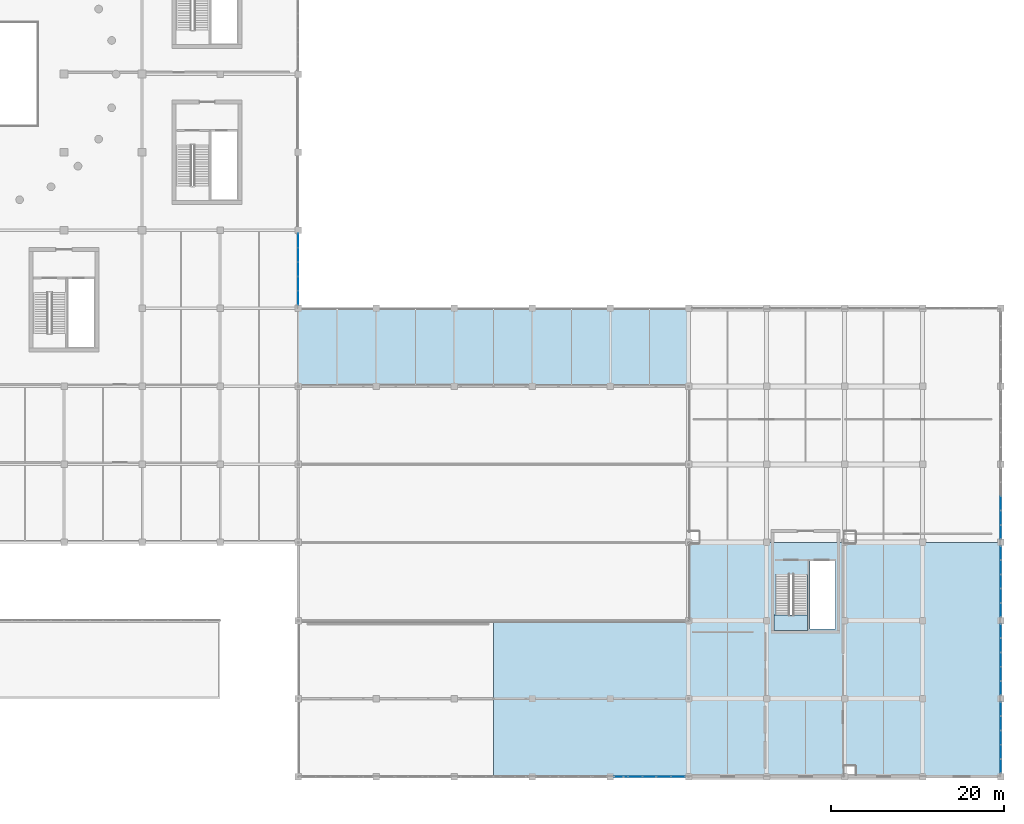
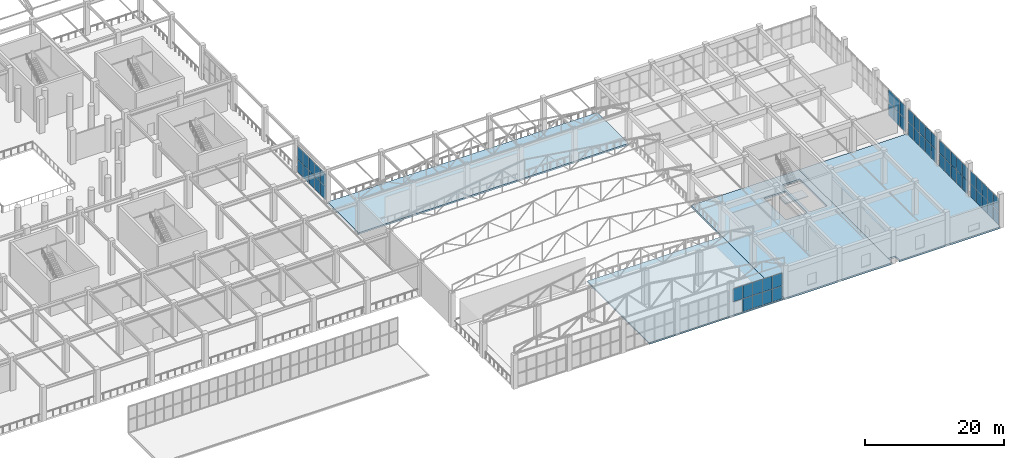
# One storey, part 174 of 223: 55 plates, 5 slabs, 7 elements without a shape of their own.
"""IFC4 building model written with IfcOpenShell, lengths in metres."""

from ifc_helpers import new_model, si_unit, direction, frame, origin, origin_2d, place, context, subcontext, project, spatial, polyline, rectangle, outline, extrude, material, layer, layer_set, type_object, element, aggregate, save


model = new_model("IFC4")

# Units and contexts
model_context = context("Model", 3, precision=1e-05, world=origin(), true_north=direction((0.0, 1.0)))
body_context = subcontext(model_context, "Body", "Model", "MODEL_VIEW")
ifc_project = project(units=[si_unit("LENGTHUNIT", "METRE"), si_unit("AREAUNIT", "SQUARE_METRE"), si_unit("VOLUMEUNIT", "CUBIC_METRE"), si_unit("PLANEANGLEUNIT", "RADIAN"), si_unit("MASSUNIT", "GRAM", prefix="KILO")], contexts=[model_context])

# Site, building, storey
site_placement = place(None, origin())
site = spatial("IfcSite", under=ifc_project, at=site_placement, CompositionType="ELEMENT")
building_placement = place(site_placement, origin())
building = spatial("IfcBuilding", under=site, at=building_placement, Name="Dornveld Trade and Exhibition Forum", CompositionType="ELEMENT")
storey_placement = place(building_placement, frame((0.0, 0.0, 6.0)))
storey = spatial("IfcBuildingStorey", under=building, at=storey_placement, Name="L01", CompositionType="ELEMENT", Elevation=6.0)

# Curtain wall, plates
ifc_material_1 = material(Name="Dark-bronze anodised aluminium and low-E glass", Category="aluminium")
ifc_layer_1 = layer(ifc_material_1, 0.14501953125)
ifc_layer_set_1 = layer_set([ifc_layer_1], Name="Dark-bronze anodised aluminium and low-E glass")
curtain_wall_type_1 = type_object("IfcCurtainWallType", Name="CW-SYS-01", PredefinedType="USERDEFINED", material=ifc_layer_set_1)
curtain_wall_1_placement = place(storey_placement, origin())
curtain_wall_1 = element("IfcCurtainWall", 1, at=curtain_wall_1_placement, inside=storey, type_object=curtain_wall_type_1, Name="L01 unitised curtain wall 73", ObjectType="UNITISED_CURTAIN_WALL", PredefinedType="USERDEFINED")
ifc_material_2 = material(Name="Double-glazed low-E solar control glass", Category="glass")
ifc_layer_2 = layer(ifc_material_2, 0.02587890625)
ifc_layer_set_2 = layer_set([ifc_layer_2], Name="Double-glazed low-E solar control glass")
plate_type_1 = type_object("IfcPlateType", Name="CW-PNL-01", PredefinedType="CURTAIN_PANEL", material=ifc_layer_set_2)
plate_1_placement = place(storey_placement, frame((234.0, 28.2119140625, 0.05615234375), z_axis=(0.0, 0.0, 1.0), x_axis=(0.0, 1.0, 0.0)))
plate_1 = element("IfcPlate", 2, at=plate_1_placement, type_object=plate_type_1, Name="CW-01 panel 1.1", PredefinedType="CURTAIN_PANEL", context=body_context, shape_type="SweptSolid", body=[
    extrude(rectangle(XDim=1.5615234375, YDim=0.02587890625, at=origin_2d()), origin(), (0.0, 0.0, 1.0), 2.261962890625),
])
plate_2_placement = place(storey_placement, frame((234.0, 28.2119140625, 2.3779296875), z_axis=(0.0, 0.0, 1.0), x_axis=(0.0, 1.0, 0.0)))
plate_2 = element("IfcPlate", 3, at=plate_2_placement, type_object=plate_type_1, Name="CW-01 panel 1.2", PredefinedType="CURTAIN_PANEL", context=body_context, shape_type="SweptSolid", body=[
    extrude(rectangle(XDim=1.5615234375, YDim=0.02587890625, at=origin_2d()), origin(), (0.0, 0.0, 1.0), 2.261962890625),
])
plate_3_placement = place(storey_placement, frame((234.0, 29.848388671875, 0.05615234375), z_axis=(0.0, 0.0, 1.0), x_axis=(0.0, 1.0, 0.0)))
plate_3 = element("IfcPlate", 4, at=plate_3_placement, type_object=plate_type_1, Name="CW-01 panel 2.1", PredefinedType="CURTAIN_PANEL", context=body_context, shape_type="SweptSolid", body=[
    extrude(rectangle(XDim=1.591552734375, YDim=0.02587890625, at=origin_2d()), origin(), (0.0, 0.0, 1.0), 2.261962890625),
])
plate_4_placement = place(storey_placement, frame((234.0, 29.848388671875, 2.3779296875), z_axis=(0.0, 0.0, 1.0), x_axis=(0.0, 1.0, 0.0)))
plate_4 = element("IfcPlate", 5, at=plate_4_placement, type_object=plate_type_1, Name="CW-01 panel 2.2", PredefinedType="CURTAIN_PANEL", context=body_context, shape_type="SweptSolid", body=[
    extrude(rectangle(XDim=1.591552734375, YDim=0.02587890625, at=origin_2d()), origin(), (0.0, 0.0, 1.0), 2.261962890625),
])
plate_5_placement = place(storey_placement, frame((234.0, 31.5, 0.05615234375), z_axis=(0.0, 0.0, 1.0), x_axis=(0.0, 1.0, 0.0)))
plate_5 = element("IfcPlate", 6, at=plate_5_placement, type_object=plate_type_1, Name="CW-01 panel 3.1", PredefinedType="CURTAIN_PANEL", context=body_context, shape_type="SweptSolid", body=[
    extrude(rectangle(XDim=1.591552734375, YDim=0.02587890625, at=origin_2d()), origin(), (0.0, 0.0, 1.0), 2.261962890625),
])
plate_6_placement = place(storey_placement, frame((234.0, 31.5, 2.3779296875), z_axis=(0.0, 0.0, 1.0), x_axis=(0.0, 1.0, 0.0)))
plate_6 = element("IfcPlate", 7, at=plate_6_placement, type_object=plate_type_1, Name="CW-01 panel 3.2", PredefinedType="CURTAIN_PANEL", context=body_context, shape_type="SweptSolid", body=[
    extrude(rectangle(XDim=1.591552734375, YDim=0.02587890625, at=origin_2d()), origin(), (0.0, 0.0, 1.0), 2.261962890625),
])
aggregate(curtain_wall_1, [plate_1, plate_2, plate_3, plate_4, plate_5, plate_6])

ifc_material_3 = material(Name="Dark-bronze anodised aluminium and low-E glass", Category="aluminium")
ifc_layer_3 = layer(ifc_material_3, 0.175048828125)
ifc_layer_set_3 = layer_set([ifc_layer_3], Name="Dark-bronze anodised aluminium and low-E glass")
curtain_wall_type_2 = type_object("IfcCurtainWallType", Name="CW-SYS-11", PredefinedType="USERDEFINED", material=ifc_layer_set_3)
curtain_wall_2_placement = place(storey_placement, origin())
curtain_wall_2 = element("IfcCurtainWall", 8, at=curtain_wall_2_placement, inside=storey, type_object=curtain_wall_type_2, Name="L01 unitised curtain wall 137", ObjectType="UNITISED_CURTAIN_WALL", PredefinedType="USERDEFINED")
plate_7_placement = place(storey_placement, frame((190.2119140625, 0.0, 2.3779296875), z_axis=(0.0, 0.0, 1.0), x_axis=(1.0, 0.0, 0.0)))
plate_7 = element("IfcPlate", 9, at=plate_7_placement, type_object=plate_type_1, Name="CW-11 panel 1.2", PredefinedType="CURTAIN_PANEL", context=body_context, shape_type="SweptSolid", body=[
    extrude(rectangle(XDim=1.5615234375, YDim=0.02587890625, at=origin_2d()), origin(), (0.0, 0.0, 1.0), 2.261962890625),
])
plate_8_placement = place(storey_placement, frame((191.848388671875, 0.0, 0.05615234375), z_axis=(0.0, 0.0, 1.0), x_axis=(1.0, 0.0, 0.0)))
plate_8 = element("IfcPlate", 10, at=plate_8_placement, type_object=plate_type_1, Name="CW-11 panel 2.1", PredefinedType="CURTAIN_PANEL", context=body_context, shape_type="SweptSolid", body=[
    extrude(rectangle(XDim=1.591552734375, YDim=0.02587890625, at=origin_2d()), origin(), (0.0, 0.0, 1.0), 2.261962890625),
])
plate_9_placement = place(storey_placement, frame((191.848388671875, 0.0, 2.3779296875), z_axis=(0.0, 0.0, 1.0), x_axis=(1.0, 0.0, 0.0)))
plate_9 = element("IfcPlate", 11, at=plate_9_placement, type_object=plate_type_1, Name="CW-11 panel 2.2", PredefinedType="CURTAIN_PANEL", context=body_context, shape_type="SweptSolid", body=[
    extrude(rectangle(XDim=1.591552734375, YDim=0.02587890625, at=origin_2d()), origin(), (0.0, 0.0, 1.0), 2.261962890625),
])
plate_10_placement = place(storey_placement, frame((193.5, 0.0, 0.05615234375), z_axis=(0.0, 0.0, 1.0), x_axis=(1.0, 0.0, 0.0)))
plate_10 = element("IfcPlate", 12, at=plate_10_placement, type_object=plate_type_1, Name="CW-11 panel 3.1", PredefinedType="CURTAIN_PANEL", context=body_context, shape_type="SweptSolid", body=[
    extrude(rectangle(XDim=1.591552734375, YDim=0.02587890625, at=origin_2d()), origin(), (0.0, 0.0, 1.0), 2.261962890625),
])
plate_11_placement = place(storey_placement, frame((193.5, 0.0, 2.3779296875), z_axis=(0.0, 0.0, 1.0), x_axis=(1.0, 0.0, 0.0)))
plate_11 = element("IfcPlate", 13, at=plate_11_placement, type_object=plate_type_1, Name="CW-11 panel 3.2", PredefinedType="CURTAIN_PANEL", context=body_context, shape_type="SweptSolid", body=[
    extrude(rectangle(XDim=1.591552734375, YDim=0.02587890625, at=origin_2d()), origin(), (0.0, 0.0, 1.0), 2.261962890625),
])
plate_12_placement = place(storey_placement, frame((195.151611328125, 0.0, 0.05615234375), z_axis=(0.0, 0.0, 1.0), x_axis=(1.0, 0.0, 0.0)))
plate_12 = element("IfcPlate", 14, at=plate_12_placement, type_object=plate_type_1, Name="CW-11 panel 4.1", PredefinedType="CURTAIN_PANEL", context=body_context, shape_type="SweptSolid", body=[
    extrude(rectangle(XDim=1.591552734375, YDim=0.02587890625, at=origin_2d()), origin(), (0.0, 0.0, 1.0), 2.261962890625),
])
plate_13_placement = place(storey_placement, frame((195.151611328125, 0.0, 2.3779296875), z_axis=(0.0, 0.0, 1.0), x_axis=(1.0, 0.0, 0.0)))
plate_13 = element("IfcPlate", 15, at=plate_13_placement, type_object=plate_type_1, Name="CW-11 panel 4.2", PredefinedType="CURTAIN_PANEL", context=body_context, shape_type="SweptSolid", body=[
    extrude(rectangle(XDim=1.591552734375, YDim=0.02587890625, at=origin_2d()), origin(), (0.0, 0.0, 1.0), 2.261962890625),
])
plate_14_placement = place(storey_placement, frame((196.7880859375, 0.0, 0.05615234375), z_axis=(0.0, 0.0, 1.0), x_axis=(1.0, 0.0, 0.0)))
plate_14 = element("IfcPlate", 16, at=plate_14_placement, type_object=plate_type_1, Name="CW-11 panel 5.1", PredefinedType="CURTAIN_PANEL", context=body_context, shape_type="SweptSolid", body=[
    extrude(rectangle(XDim=1.5615234375, YDim=0.02587890625, at=origin_2d()), origin(), (0.0, 0.0, 1.0), 2.261962890625),
])
plate_15_placement = place(storey_placement, frame((196.7880859375, 0.0, 2.3779296875), z_axis=(0.0, 0.0, 1.0), x_axis=(1.0, 0.0, 0.0)))
plate_15 = element("IfcPlate", 17, at=plate_15_placement, type_object=plate_type_1, Name="CW-11 panel 5.2", PredefinedType="CURTAIN_PANEL", context=body_context, shape_type="SweptSolid", body=[
    extrude(rectangle(XDim=1.5615234375, YDim=0.02587890625, at=origin_2d()), origin(), (0.0, 0.0, 1.0), 2.261962890625),
])
aggregate(curtain_wall_2, [plate_7, plate_8, plate_9, plate_10, plate_11, plate_12, plate_13, plate_14, plate_15])

ifc_material_4 = material(Name="Dark-bronze anodised aluminium and low-E glass", Category="aluminium")
ifc_layer_4 = layer(ifc_material_4, 0.159912109375)
ifc_layer_set_4 = layer_set([ifc_layer_4], Name="Dark-bronze anodised aluminium and low-E glass")
curtain_wall_type_3 = type_object("IfcCurtainWallType", Name="CW-SYS-06", PredefinedType="USERDEFINED", material=ifc_layer_set_4)
curtain_wall_3_placement = place(storey_placement, origin())
curtain_wall_3 = element("IfcCurtainWall", 18, at=curtain_wall_3_placement, inside=storey, type_object=curtain_wall_type_3, Name="L01 unitised curtain wall 60", ObjectType="UNITISED_CURTAIN_WALL", PredefinedType="USERDEFINED")
ifc_material_5 = material(Name="Double-glazed low-E solar control glass", Category="glass")
ifc_layer_5 = layer(ifc_material_5, 0.031982421875)
ifc_layer_set_5 = layer_set([ifc_layer_5], Name="Double-glazed low-E solar control glass")
plate_type_2 = type_object("IfcPlateType", Name="CW-PNL-04", PredefinedType="CURTAIN_PANEL", material=ifc_layer_set_5)
plate_16_placement = place(storey_placement, frame((153.0, 55.2119140625, 0.05615234375), z_axis=(0.0, 0.0, 1.0), x_axis=(0.0, 1.0, 0.0)))
plate_16 = element("IfcPlate", 19, at=plate_16_placement, type_object=plate_type_2, Name="CW-06 panel 1.1", PredefinedType="CURTAIN_PANEL", context=body_context, shape_type="SweptSolid", body=[
    extrude(rectangle(XDim=1.5615234375, YDim=0.031982421875, at=origin_2d()), origin(), (0.0, 0.0, 1.0), 2.261962890625),
])
plate_17_placement = place(storey_placement, frame((153.0, 55.2119140625, 2.3779296875), z_axis=(0.0, 0.0, 1.0), x_axis=(0.0, 1.0, 0.0)))
plate_17 = element("IfcPlate", 20, at=plate_17_placement, type_object=plate_type_2, Name="CW-06 panel 1.2", PredefinedType="CURTAIN_PANEL", context=body_context, shape_type="SweptSolid", body=[
    extrude(rectangle(XDim=1.5615234375, YDim=0.031982421875, at=origin_2d()), origin(), (0.0, 0.0, 1.0), 2.261962890625),
])
plate_18_placement = place(storey_placement, frame((153.0, 56.848388671875, 0.05615234375), z_axis=(0.0, 0.0, 1.0), x_axis=(0.0, 1.0, 0.0)))
plate_18 = element("IfcPlate", 21, at=plate_18_placement, type_object=plate_type_2, Name="CW-06 panel 2.1", PredefinedType="CURTAIN_PANEL", context=body_context, shape_type="SweptSolid", body=[
    extrude(rectangle(XDim=1.591552734375, YDim=0.031982421875, at=origin_2d()), origin(), (0.0, 0.0, 1.0), 2.261962890625),
])
plate_19_placement = place(storey_placement, frame((153.0, 56.848388671875, 2.3779296875), z_axis=(0.0, 0.0, 1.0), x_axis=(0.0, 1.0, 0.0)))
plate_19 = element("IfcPlate", 22, at=plate_19_placement, type_object=plate_type_2, Name="CW-06 panel 2.2", PredefinedType="CURTAIN_PANEL", context=body_context, shape_type="SweptSolid", body=[
    extrude(rectangle(XDim=1.591552734375, YDim=0.031982421875, at=origin_2d()), origin(), (0.0, 0.0, 1.0), 2.261962890625),
])
plate_20_placement = place(storey_placement, frame((153.0, 58.5, 0.05615234375), z_axis=(0.0, 0.0, 1.0), x_axis=(0.0, 1.0, 0.0)))
plate_20 = element("IfcPlate", 23, at=plate_20_placement, type_object=plate_type_2, Name="CW-06 panel 3.1", PredefinedType="CURTAIN_PANEL", context=body_context, shape_type="SweptSolid", body=[
    extrude(rectangle(XDim=1.591552734375, YDim=0.031982421875, at=origin_2d()), origin(), (0.0, 0.0, 1.0), 2.261962890625),
])
plate_21_placement = place(storey_placement, frame((153.0, 58.5, 2.3779296875), z_axis=(0.0, 0.0, 1.0), x_axis=(0.0, 1.0, 0.0)))
plate_21 = element("IfcPlate", 24, at=plate_21_placement, type_object=plate_type_2, Name="CW-06 panel 3.2", PredefinedType="CURTAIN_PANEL", context=body_context, shape_type="SweptSolid", body=[
    extrude(rectangle(XDim=1.591552734375, YDim=0.031982421875, at=origin_2d()), origin(), (0.0, 0.0, 1.0), 2.261962890625),
])
plate_22_placement = place(storey_placement, frame((153.0, 60.151611328125, 0.05615234375), z_axis=(0.0, 0.0, 1.0), x_axis=(0.0, 1.0, 0.0)))
plate_22 = element("IfcPlate", 25, at=plate_22_placement, type_object=plate_type_2, Name="CW-06 panel 4.1", PredefinedType="CURTAIN_PANEL", context=body_context, shape_type="SweptSolid", body=[
    extrude(rectangle(XDim=1.591552734375, YDim=0.031982421875, at=origin_2d()), origin(), (0.0, 0.0, 1.0), 2.261962890625),
])
plate_23_placement = place(storey_placement, frame((153.0, 60.151611328125, 2.3779296875), z_axis=(0.0, 0.0, 1.0), x_axis=(0.0, 1.0, 0.0)))
plate_23 = element("IfcPlate", 26, at=plate_23_placement, type_object=plate_type_2, Name="CW-06 panel 4.2", PredefinedType="CURTAIN_PANEL", context=body_context, shape_type="SweptSolid", body=[
    extrude(rectangle(XDim=1.591552734375, YDim=0.031982421875, at=origin_2d()), origin(), (0.0, 0.0, 1.0), 2.261962890625),
])
plate_24_placement = place(storey_placement, frame((153.0, 61.7880859375, 0.05615234375), z_axis=(0.0, 0.0, 1.0), x_axis=(0.0, 1.0, 0.0)))
plate_24 = element("IfcPlate", 27, at=plate_24_placement, type_object=plate_type_2, Name="CW-06 panel 5.1", PredefinedType="CURTAIN_PANEL", context=body_context, shape_type="SweptSolid", body=[
    extrude(rectangle(XDim=1.5615234375, YDim=0.031982421875, at=origin_2d()), origin(), (0.0, 0.0, 1.0), 2.261962890625),
])
plate_25_placement = place(storey_placement, frame((153.0, 61.7880859375, 2.3779296875), z_axis=(0.0, 0.0, 1.0), x_axis=(0.0, 1.0, 0.0)))
plate_25 = element("IfcPlate", 28, at=plate_25_placement, type_object=plate_type_2, Name="CW-06 panel 5.2", PredefinedType="CURTAIN_PANEL", context=body_context, shape_type="SweptSolid", body=[
    extrude(rectangle(XDim=1.5615234375, YDim=0.031982421875, at=origin_2d()), origin(), (0.0, 0.0, 1.0), 2.261962890625),
])
aggregate(curtain_wall_3, [plate_16, plate_17, plate_18, plate_19, plate_20, plate_21, plate_22, plate_23, plate_24, plate_25])

ifc_material_6 = material(Name="Dark-bronze anodised aluminium and low-E glass", Category="aluminium")
ifc_layer_6 = layer(ifc_material_6, 0.18994140625)
ifc_layer_set_6 = layer_set([ifc_layer_6], Name="Dark-bronze anodised aluminium and low-E glass")
curtain_wall_type_4 = type_object("IfcCurtainWallType", Name="CW-SYS-16", PredefinedType="USERDEFINED", material=ifc_layer_set_6)
curtain_wall_4_placement = place(storey_placement, origin())
curtain_wall_4 = element("IfcCurtainWall", 29, at=curtain_wall_4_placement, inside=storey, type_object=curtain_wall_type_4, Name="L01 unitised curtain wall 70", ObjectType="UNITISED_CURTAIN_WALL", PredefinedType="USERDEFINED")
ifc_material_7 = material(Name="Double-glazed low-E solar control glass", Category="glass")
ifc_layer_7 = layer(ifc_material_7, 0.035888671875)
ifc_layer_set_7 = layer_set([ifc_layer_7], Name="Double-glazed low-E solar control glass")
plate_type_3 = type_object("IfcPlateType", Name="CW-PNL-06", PredefinedType="CURTAIN_PANEL", material=ifc_layer_set_7)
plate_26_placement = place(storey_placement, frame((234.0, 1.2119140625, 0.05615234375), z_axis=(0.0, 0.0, 1.0), x_axis=(0.0, 1.0, 0.0)))
plate_26 = element("IfcPlate", 30, at=plate_26_placement, type_object=plate_type_3, Name="CW-16 panel 1.1", PredefinedType="CURTAIN_PANEL", context=body_context, shape_type="SweptSolid", body=[
    extrude(rectangle(XDim=1.5615234375, YDim=0.035888671875, at=origin_2d()), origin(), (0.0, 0.0, 1.0), 2.261962890625),
])
plate_27_placement = place(storey_placement, frame((234.0, 1.2119140625, 2.3779296875), z_axis=(0.0, 0.0, 1.0), x_axis=(0.0, 1.0, 0.0)))
plate_27 = element("IfcPlate", 31, at=plate_27_placement, type_object=plate_type_3, Name="CW-16 panel 1.2", PredefinedType="CURTAIN_PANEL", context=body_context, shape_type="SweptSolid", body=[
    extrude(rectangle(XDim=1.5615234375, YDim=0.035888671875, at=origin_2d()), origin(), (0.0, 0.0, 1.0), 2.261962890625),
])
plate_28_placement = place(storey_placement, frame((234.0, 2.848388671875, 0.05615234375), z_axis=(0.0, 0.0, 1.0), x_axis=(0.0, 1.0, 0.0)))
plate_28 = element("IfcPlate", 32, at=plate_28_placement, type_object=plate_type_3, Name="CW-16 panel 2.1", PredefinedType="CURTAIN_PANEL", context=body_context, shape_type="SweptSolid", body=[
    extrude(rectangle(XDim=1.591552734375, YDim=0.035888671875, at=origin_2d()), origin(), (0.0, 0.0, 1.0), 2.261962890625),
])
plate_29_placement = place(storey_placement, frame((234.0, 2.848388671875, 2.3779296875), z_axis=(0.0, 0.0, 1.0), x_axis=(0.0, 1.0, 0.0)))
plate_29 = element("IfcPlate", 33, at=plate_29_placement, type_object=plate_type_3, Name="CW-16 panel 2.2", PredefinedType="CURTAIN_PANEL", context=body_context, shape_type="SweptSolid", body=[
    extrude(rectangle(XDim=1.591552734375, YDim=0.035888671875, at=origin_2d()), origin(), (0.0, 0.0, 1.0), 2.261962890625),
])
plate_30_placement = place(storey_placement, frame((234.0, 4.5, 0.05615234375), z_axis=(0.0, 0.0, 1.0), x_axis=(0.0, 1.0, 0.0)))
plate_30 = element("IfcPlate", 34, at=plate_30_placement, type_object=plate_type_3, Name="CW-16 panel 3.1", PredefinedType="CURTAIN_PANEL", context=body_context, shape_type="SweptSolid", body=[
    extrude(rectangle(XDim=1.591552734375, YDim=0.035888671875, at=origin_2d()), origin(), (0.0, 0.0, 1.0), 2.261962890625),
])
plate_31_placement = place(storey_placement, frame((234.0, 4.5, 2.3779296875), z_axis=(0.0, 0.0, 1.0), x_axis=(0.0, 1.0, 0.0)))
plate_31 = element("IfcPlate", 35, at=plate_31_placement, type_object=plate_type_3, Name="CW-16 panel 3.2", PredefinedType="CURTAIN_PANEL", context=body_context, shape_type="SweptSolid", body=[
    extrude(rectangle(XDim=1.591552734375, YDim=0.035888671875, at=origin_2d()), origin(), (0.0, 0.0, 1.0), 2.261962890625),
])
plate_32_placement = place(storey_placement, frame((234.0, 6.151611328125, 0.05615234375), z_axis=(0.0, 0.0, 1.0), x_axis=(0.0, 1.0, 0.0)))
plate_32 = element("IfcPlate", 36, at=plate_32_placement, type_object=plate_type_3, Name="CW-16 panel 4.1", PredefinedType="CURTAIN_PANEL", context=body_context, shape_type="SweptSolid", body=[
    extrude(rectangle(XDim=1.591552734375, YDim=0.035888671875, at=origin_2d()), origin(), (0.0, 0.0, 1.0), 2.261962890625),
])
plate_33_placement = place(storey_placement, frame((234.0, 6.151611328125, 2.3779296875), z_axis=(0.0, 0.0, 1.0), x_axis=(0.0, 1.0, 0.0)))
plate_33 = element("IfcPlate", 37, at=plate_33_placement, type_object=plate_type_3, Name="CW-16 panel 4.2", PredefinedType="CURTAIN_PANEL", context=body_context, shape_type="SweptSolid", body=[
    extrude(rectangle(XDim=1.591552734375, YDim=0.035888671875, at=origin_2d()), origin(), (0.0, 0.0, 1.0), 2.261962890625),
])
plate_34_placement = place(storey_placement, frame((234.0, 7.7880859375, 0.05615234375), z_axis=(0.0, 0.0, 1.0), x_axis=(0.0, 1.0, 0.0)))
plate_34 = element("IfcPlate", 38, at=plate_34_placement, type_object=plate_type_3, Name="CW-16 panel 5.1", PredefinedType="CURTAIN_PANEL", context=body_context, shape_type="SweptSolid", body=[
    extrude(rectangle(XDim=1.5615234375, YDim=0.035888671875, at=origin_2d()), origin(), (0.0, 0.0, 1.0), 2.261962890625),
])
plate_35_placement = place(storey_placement, frame((234.0, 7.7880859375, 2.3779296875), z_axis=(0.0, 0.0, 1.0), x_axis=(0.0, 1.0, 0.0)))
plate_35 = element("IfcPlate", 39, at=plate_35_placement, type_object=plate_type_3, Name="CW-16 panel 5.2", PredefinedType="CURTAIN_PANEL", context=body_context, shape_type="SweptSolid", body=[
    extrude(rectangle(XDim=1.5615234375, YDim=0.035888671875, at=origin_2d()), origin(), (0.0, 0.0, 1.0), 2.261962890625),
])
aggregate(curtain_wall_4, [plate_26, plate_27, plate_28, plate_29, plate_30, plate_31, plate_32, plate_33, plate_34, plate_35])

ifc_material_8 = material(Name="Dark-bronze anodised aluminium and low-E glass", Category="aluminium")
ifc_layer_8 = layer(ifc_material_8, 0.193115234375)
ifc_layer_set_8 = layer_set([ifc_layer_8], Name="Dark-bronze anodised aluminium and low-E glass")
curtain_wall_type_5 = type_object("IfcCurtainWallType", Name="CW-SYS-17", PredefinedType="USERDEFINED", material=ifc_layer_set_8)
curtain_wall_5_placement = place(storey_placement, origin())
curtain_wall_5 = element("IfcCurtainWall", 40, at=curtain_wall_5_placement, inside=storey, type_object=curtain_wall_type_5, Name="L01 unitised curtain wall 71", ObjectType="UNITISED_CURTAIN_WALL", PredefinedType="USERDEFINED")
ifc_material_9 = material(Name="Double-glazed low-E solar control glass", Category="glass")
ifc_layer_9 = layer(ifc_material_9, 0.0380859375)
ifc_layer_set_9 = layer_set([ifc_layer_9], Name="Double-glazed low-E solar control glass")
plate_type_4 = type_object("IfcPlateType", Name="CW-PNL-07", PredefinedType="CURTAIN_PANEL", material=ifc_layer_set_9)
plate_36_placement = place(storey_placement, frame((234.0, 10.2119140625, 0.05615234375), z_axis=(0.0, 0.0, 1.0), x_axis=(0.0, 1.0, 0.0)))
plate_36 = element("IfcPlate", 41, at=plate_36_placement, type_object=plate_type_4, Name="CW-17 panel 1.1", PredefinedType="CURTAIN_PANEL", context=body_context, shape_type="SweptSolid", body=[
    extrude(rectangle(XDim=1.5615234375, YDim=0.0380859375, at=origin_2d()), origin(), (0.0, 0.0, 1.0), 2.261962890625),
])
plate_37_placement = place(storey_placement, frame((234.0, 10.2119140625, 2.3779296875), z_axis=(0.0, 0.0, 1.0), x_axis=(0.0, 1.0, 0.0)))
plate_37 = element("IfcPlate", 42, at=plate_37_placement, type_object=plate_type_4, Name="CW-17 panel 1.2", PredefinedType="CURTAIN_PANEL", context=body_context, shape_type="SweptSolid", body=[
    extrude(rectangle(XDim=1.5615234375, YDim=0.0380859375, at=origin_2d()), origin(), (0.0, 0.0, 1.0), 2.261962890625),
])
plate_38_placement = place(storey_placement, frame((234.0, 11.848388671875, 0.05615234375), z_axis=(0.0, 0.0, 1.0), x_axis=(0.0, 1.0, 0.0)))
plate_38 = element("IfcPlate", 43, at=plate_38_placement, type_object=plate_type_4, Name="CW-17 panel 2.1", PredefinedType="CURTAIN_PANEL", context=body_context, shape_type="SweptSolid", body=[
    extrude(rectangle(XDim=1.591552734375, YDim=0.0380859375, at=origin_2d()), origin(), (0.0, 0.0, 1.0), 2.261962890625),
])
plate_39_placement = place(storey_placement, frame((234.0, 11.848388671875, 2.3779296875), z_axis=(0.0, 0.0, 1.0), x_axis=(0.0, 1.0, 0.0)))
plate_39 = element("IfcPlate", 44, at=plate_39_placement, type_object=plate_type_4, Name="CW-17 panel 2.2", PredefinedType="CURTAIN_PANEL", context=body_context, shape_type="SweptSolid", body=[
    extrude(rectangle(XDim=1.591552734375, YDim=0.0380859375, at=origin_2d()), origin(), (0.0, 0.0, 1.0), 2.261962890625),
])
plate_40_placement = place(storey_placement, frame((234.0, 13.5, 0.05615234375), z_axis=(0.0, 0.0, 1.0), x_axis=(0.0, 1.0, 0.0)))
plate_40 = element("IfcPlate", 45, at=plate_40_placement, type_object=plate_type_4, Name="CW-17 panel 3.1", PredefinedType="CURTAIN_PANEL", context=body_context, shape_type="SweptSolid", body=[
    extrude(rectangle(XDim=1.591552734375, YDim=0.0380859375, at=origin_2d()), origin(), (0.0, 0.0, 1.0), 2.261962890625),
])
plate_41_placement = place(storey_placement, frame((234.0, 13.5, 2.3779296875), z_axis=(0.0, 0.0, 1.0), x_axis=(0.0, 1.0, 0.0)))
plate_41 = element("IfcPlate", 46, at=plate_41_placement, type_object=plate_type_4, Name="CW-17 panel 3.2", PredefinedType="CURTAIN_PANEL", context=body_context, shape_type="SweptSolid", body=[
    extrude(rectangle(XDim=1.591552734375, YDim=0.0380859375, at=origin_2d()), origin(), (0.0, 0.0, 1.0), 2.261962890625),
])
plate_42_placement = place(storey_placement, frame((234.0, 15.151611328125, 0.05615234375), z_axis=(0.0, 0.0, 1.0), x_axis=(0.0, 1.0, 0.0)))
plate_42 = element("IfcPlate", 47, at=plate_42_placement, type_object=plate_type_4, Name="CW-17 panel 4.1", PredefinedType="CURTAIN_PANEL", context=body_context, shape_type="SweptSolid", body=[
    extrude(rectangle(XDim=1.591552734375, YDim=0.0380859375, at=origin_2d()), origin(), (0.0, 0.0, 1.0), 2.261962890625),
])
plate_43_placement = place(storey_placement, frame((234.0, 15.151611328125, 2.3779296875), z_axis=(0.0, 0.0, 1.0), x_axis=(0.0, 1.0, 0.0)))
plate_43 = element("IfcPlate", 48, at=plate_43_placement, type_object=plate_type_4, Name="CW-17 panel 4.2", PredefinedType="CURTAIN_PANEL", context=body_context, shape_type="SweptSolid", body=[
    extrude(rectangle(XDim=1.591552734375, YDim=0.0380859375, at=origin_2d()), origin(), (0.0, 0.0, 1.0), 2.261962890625),
])
plate_44_placement = place(storey_placement, frame((234.0, 16.7880859375, 0.05615234375), z_axis=(0.0, 0.0, 1.0), x_axis=(0.0, 1.0, 0.0)))
plate_44 = element("IfcPlate", 49, at=plate_44_placement, type_object=plate_type_4, Name="CW-17 panel 5.1", PredefinedType="CURTAIN_PANEL", context=body_context, shape_type="SweptSolid", body=[
    extrude(rectangle(XDim=1.5615234375, YDim=0.0380859375, at=origin_2d()), origin(), (0.0, 0.0, 1.0), 2.261962890625),
])
plate_45_placement = place(storey_placement, frame((234.0, 16.7880859375, 2.3779296875), z_axis=(0.0, 0.0, 1.0), x_axis=(0.0, 1.0, 0.0)))
plate_45 = element("IfcPlate", 50, at=plate_45_placement, type_object=plate_type_4, Name="CW-17 panel 5.2", PredefinedType="CURTAIN_PANEL", context=body_context, shape_type="SweptSolid", body=[
    extrude(rectangle(XDim=1.5615234375, YDim=0.0380859375, at=origin_2d()), origin(), (0.0, 0.0, 1.0), 2.261962890625),
])
aggregate(curtain_wall_5, [plate_36, plate_37, plate_38, plate_39, plate_40, plate_41, plate_42, plate_43, plate_44, plate_45])

ifc_material_10 = material(Name="Dark-bronze anodised aluminium and low-E glass", Category="aluminium")
ifc_layer_10 = layer(ifc_material_10, 0.196044921875)
ifc_layer_set_10 = layer_set([ifc_layer_10], Name="Dark-bronze anodised aluminium and low-E glass")
curtain_wall_type_6 = type_object("IfcCurtainWallType", Name="CW-SYS-18", PredefinedType="USERDEFINED", material=ifc_layer_set_10)
curtain_wall_6_placement = place(storey_placement, origin())
curtain_wall_6 = element("IfcCurtainWall", 51, at=curtain_wall_6_placement, inside=storey, type_object=curtain_wall_type_6, Name="L01 unitised curtain wall 72", ObjectType="UNITISED_CURTAIN_WALL", PredefinedType="USERDEFINED")
ifc_material_11 = material(Name="Double-glazed low-E solar control glass", Category="glass")
ifc_layer_11 = layer(ifc_material_11, 0.0400390625)
ifc_layer_set_11 = layer_set([ifc_layer_11], Name="Double-glazed low-E solar control glass")
plate_type_5 = type_object("IfcPlateType", Name="CW-PNL-08", PredefinedType="CURTAIN_PANEL", material=ifc_layer_set_11)
plate_46_placement = place(storey_placement, frame((234.0, 19.2119140625, 0.05615234375), z_axis=(0.0, 0.0, 1.0), x_axis=(0.0, 1.0, 0.0)))
plate_46 = element("IfcPlate", 52, at=plate_46_placement, type_object=plate_type_5, Name="CW-18 panel 1.1", PredefinedType="CURTAIN_PANEL", context=body_context, shape_type="SweptSolid", body=[
    extrude(rectangle(XDim=1.5615234375, YDim=0.0400390625, at=origin_2d()), origin(), (0.0, 0.0, 1.0), 2.261962890625),
])
plate_47_placement = place(storey_placement, frame((234.0, 19.2119140625, 2.3779296875), z_axis=(0.0, 0.0, 1.0), x_axis=(0.0, 1.0, 0.0)))
plate_47 = element("IfcPlate", 53, at=plate_47_placement, type_object=plate_type_5, Name="CW-18 panel 1.2", PredefinedType="CURTAIN_PANEL", context=body_context, shape_type="SweptSolid", body=[
    extrude(rectangle(XDim=1.5615234375, YDim=0.0400390625, at=origin_2d()), origin(), (0.0, 0.0, 1.0), 2.261962890625),
])
plate_48_placement = place(storey_placement, frame((234.0, 20.848388671875, 0.05615234375), z_axis=(0.0, 0.0, 1.0), x_axis=(0.0, 1.0, 0.0)))
plate_48 = element("IfcPlate", 54, at=plate_48_placement, type_object=plate_type_5, Name="CW-18 panel 2.1", PredefinedType="CURTAIN_PANEL", context=body_context, shape_type="SweptSolid", body=[
    extrude(rectangle(XDim=1.591552734375, YDim=0.0400390625, at=origin_2d()), origin(), (0.0, 0.0, 1.0), 2.261962890625),
])
plate_49_placement = place(storey_placement, frame((234.0, 20.848388671875, 2.3779296875), z_axis=(0.0, 0.0, 1.0), x_axis=(0.0, 1.0, 0.0)))
plate_49 = element("IfcPlate", 55, at=plate_49_placement, type_object=plate_type_5, Name="CW-18 panel 2.2", PredefinedType="CURTAIN_PANEL", context=body_context, shape_type="SweptSolid", body=[
    extrude(rectangle(XDim=1.591552734375, YDim=0.0400390625, at=origin_2d()), origin(), (0.0, 0.0, 1.0), 2.261962890625),
])
plate_50_placement = place(storey_placement, frame((234.0, 22.5, 0.05615234375), z_axis=(0.0, 0.0, 1.0), x_axis=(0.0, 1.0, 0.0)))
plate_50 = element("IfcPlate", 56, at=plate_50_placement, type_object=plate_type_5, Name="CW-18 panel 3.1", PredefinedType="CURTAIN_PANEL", context=body_context, shape_type="SweptSolid", body=[
    extrude(rectangle(XDim=1.591552734375, YDim=0.0400390625, at=origin_2d()), origin(), (0.0, 0.0, 1.0), 2.261962890625),
])
plate_51_placement = place(storey_placement, frame((234.0, 22.5, 2.3779296875), z_axis=(0.0, 0.0, 1.0), x_axis=(0.0, 1.0, 0.0)))
plate_51 = element("IfcPlate", 57, at=plate_51_placement, type_object=plate_type_5, Name="CW-18 panel 3.2", PredefinedType="CURTAIN_PANEL", context=body_context, shape_type="SweptSolid", body=[
    extrude(rectangle(XDim=1.591552734375, YDim=0.0400390625, at=origin_2d()), origin(), (0.0, 0.0, 1.0), 2.261962890625),
])
plate_52_placement = place(storey_placement, frame((234.0, 24.151611328125, 0.05615234375), z_axis=(0.0, 0.0, 1.0), x_axis=(0.0, 1.0, 0.0)))
plate_52 = element("IfcPlate", 58, at=plate_52_placement, type_object=plate_type_5, Name="CW-18 panel 4.1", PredefinedType="CURTAIN_PANEL", context=body_context, shape_type="SweptSolid", body=[
    extrude(rectangle(XDim=1.591552734375, YDim=0.0400390625, at=origin_2d()), origin(), (0.0, 0.0, 1.0), 2.261962890625),
])
plate_53_placement = place(storey_placement, frame((234.0, 24.151611328125, 2.3779296875), z_axis=(0.0, 0.0, 1.0), x_axis=(0.0, 1.0, 0.0)))
plate_53 = element("IfcPlate", 59, at=plate_53_placement, type_object=plate_type_5, Name="CW-18 panel 4.2", PredefinedType="CURTAIN_PANEL", context=body_context, shape_type="SweptSolid", body=[
    extrude(rectangle(XDim=1.591552734375, YDim=0.0400390625, at=origin_2d()), origin(), (0.0, 0.0, 1.0), 2.261962890625),
])
plate_54_placement = place(storey_placement, frame((234.0, 25.7880859375, 0.05615234375), z_axis=(0.0, 0.0, 1.0), x_axis=(0.0, 1.0, 0.0)))
plate_54 = element("IfcPlate", 60, at=plate_54_placement, type_object=plate_type_5, Name="CW-18 panel 5.1", PredefinedType="CURTAIN_PANEL", context=body_context, shape_type="SweptSolid", body=[
    extrude(rectangle(XDim=1.5615234375, YDim=0.0400390625, at=origin_2d()), origin(), (0.0, 0.0, 1.0), 2.261962890625),
])
plate_55_placement = place(storey_placement, frame((234.0, 25.7880859375, 2.3779296875), z_axis=(0.0, 0.0, 1.0), x_axis=(0.0, 1.0, 0.0)))
plate_55 = element("IfcPlate", 61, at=plate_55_placement, type_object=plate_type_5, Name="CW-18 panel 5.2", PredefinedType="CURTAIN_PANEL", context=body_context, shape_type="SweptSolid", body=[
    extrude(rectangle(XDim=1.5615234375, YDim=0.0400390625, at=origin_2d()), origin(), (0.0, 0.0, 1.0), 2.261962890625),
])
aggregate(curtain_wall_6, [plate_46, plate_47, plate_48, plate_49, plate_50, plate_51, plate_52, plate_53, plate_54, plate_55])

# Slab
ifc_material_12 = material(Name="Precast concrete C50/60", Category="concrete")
ifc_layer_12 = layer(ifc_material_12, 0.280029296875)
ifc_layer_set_12 = layer_set([ifc_layer_12], Name="Precast concrete C50/60")
slab_type_1 = type_object("IfcSlabType", Name="SL-CONG-280", PredefinedType="FLOOR", material=ifc_layer_set_12)
slab_1_placement = place(storey_placement, frame((0.0, 0.0, -0.280029296875)))
element("IfcSlab", 62, at=slab_1_placement, inside=storey, type_object=slab_type_1, Name="L01 structural slab panel 44", PredefinedType="FLOOR", context=body_context, shape_type="SweptSolid", body=[
    extrude(outline(polyline([(153.0, 45.0), (198.0, 45.0), (198.0, 54.0), (153.0, 54.0), (153.0, 45.0)])), origin(), (0.0, 0.0, 1.0), 0.280029296875),
])

# Stair, slab
ifc_material_13 = material(Name="Concrete C40/50", Category="concrete")
stair_type = type_object("IfcStairType", Name="ST-2RET-600A", PredefinedType="HALF_TURN_STAIR", material=ifc_material_13)
stair_placement = place(storey_placement, origin())
stair = element("IfcStair", 63, at=stair_placement, inside=storey, type_object=stair_type, Name="CORE-11 escape stair L01 to L02", PredefinedType="HALF_TURN_STAIR")
ifc_material_14 = material(Name="Concrete C40/50", Category="concrete")
ifc_layer_13 = layer(ifc_material_14, 0.199951171875)
ifc_layer_set_13 = layer_set([ifc_layer_13], Name="Concrete C40/50")
slab_type_2 = type_object("IfcSlabType", Name="SL-LAND-200", PredefinedType="LANDING", material=ifc_layer_set_13)
slab_2_placement = place(storey_placement, frame((0.0, 0.0, 2.800048828125)))
slab_2 = element("IfcSlab", 64, at=slab_2_placement, type_object=slab_type_2, Name="ST-11-L01 landing 1", PredefinedType="LANDING", context=body_context, shape_type="SweptSolid", body=[
    extrude(outline(polyline([(207.875, 16.875), (211.719970703125, 16.875), (211.719970703125, 18.614990234375), (207.875, 18.614990234375), (207.875, 16.875)])), origin(), (0.0, 0.0, 1.0), 0.199951171875),
])
aggregate(stair, [slab_2])

# Slabs
ifc_material_15 = material(Name="Precast concrete C50/60", Category="concrete")
ifc_layer_14 = layer(ifc_material_15, 0.260009765625)
ifc_layer_set_14 = layer_set([ifc_layer_14], Name="Precast concrete C50/60")
slab_type_3 = type_object("IfcSlabType", Name="SL-OFF-260", PredefinedType="FLOOR", material=ifc_layer_set_14)
slab_3_placement = place(storey_placement, frame((0.0, 0.0, -0.300048828125)))
element("IfcSlab", 65, at=slab_3_placement, inside=storey, type_object=slab_type_3, Name="L01 structural slab panel 45", PredefinedType="FLOOR", context=body_context, shape_type="SweptSolid", body=[
    extrude(outline(polyline([(198.0, 0.0), (216.0, 0.0), (216.0, 27.0), (198.0, 27.0), (198.0, 0.0)]), holes=[polyline([(208.050048828125, 17.050048828125), (211.64990234375, 17.050048828125), (211.64990234375, 23.330078125), (208.050048828125, 23.330078125), (208.050048828125, 17.050048828125)]), polyline([(212.0, 17.050048828125), (214.949951171875, 17.050048828125), (214.949951171875, 24.89990234375), (212.0, 24.89990234375), (212.0, 17.050048828125)])]), origin(), (0.0, 0.0, 1.0), 0.300048828125),
])
slab_4_placement = place(storey_placement, frame((0.0, 0.0, -0.300048828125)))
element("IfcSlab", 66, at=slab_4_placement, inside=storey, type_object=slab_type_3, Name="L01 structural slab panel 47", PredefinedType="FLOOR", context=body_context, shape_type="SweptSolid", body=[
    extrude(outline(polyline([(217.199951171875, 0.0), (234.0, 0.0), (234.0, 27.0), (216.0, 27.0), (216.0, 1.199951171875), (217.199951171875, 1.199951171875), (217.199951171875, 0.0)])), origin(), (0.0, 0.0, 1.0), 0.300048828125),
])
ifc_material_16 = material(Name="Precast concrete C50/60", Category="concrete")
ifc_layer_15 = layer(ifc_material_16, 0.239990234375)
ifc_layer_set_15 = layer_set([ifc_layer_15], Name="Precast concrete C50/60")
slab_type_4 = type_object("IfcSlabType", Name="SL-RAKE-240", PredefinedType="FLOOR", material=ifc_layer_set_15)
slab_5_placement = place(storey_placement, frame((0.0, 0.0, -0.239990234375)))
element("IfcSlab", 67, at=slab_5_placement, inside=storey, type_object=slab_type_4, Name="L01 structural slab panel 43", PredefinedType="FLOOR", context=body_context, shape_type="SweptSolid", body=[
    extrude(outline(polyline([(175.5, 0.0), (198.0, 0.0), (198.0, 18.0), (175.5, 18.0), (175.5, 0.0)])), origin(), (0.0, 0.0, 1.0), 0.239990234375),
])

save(model, "model.ifc")
